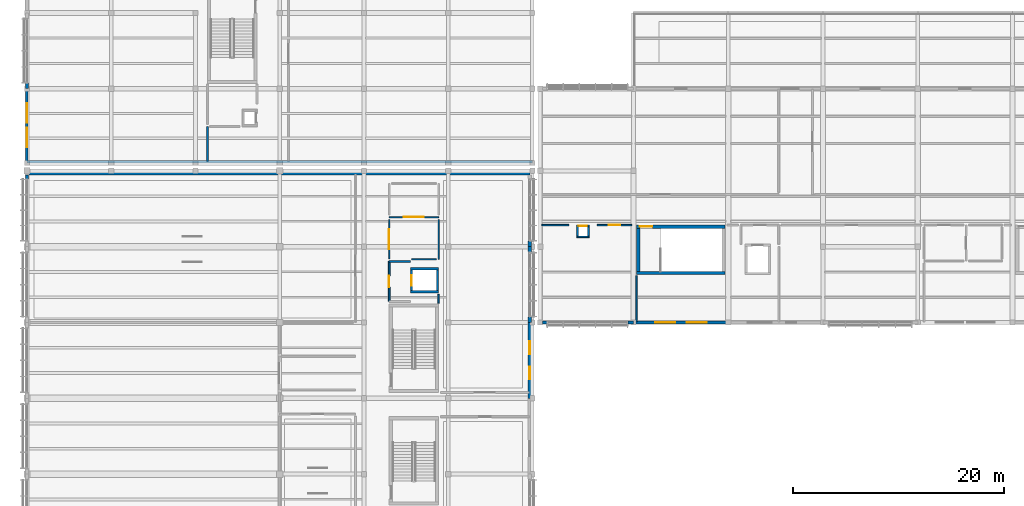
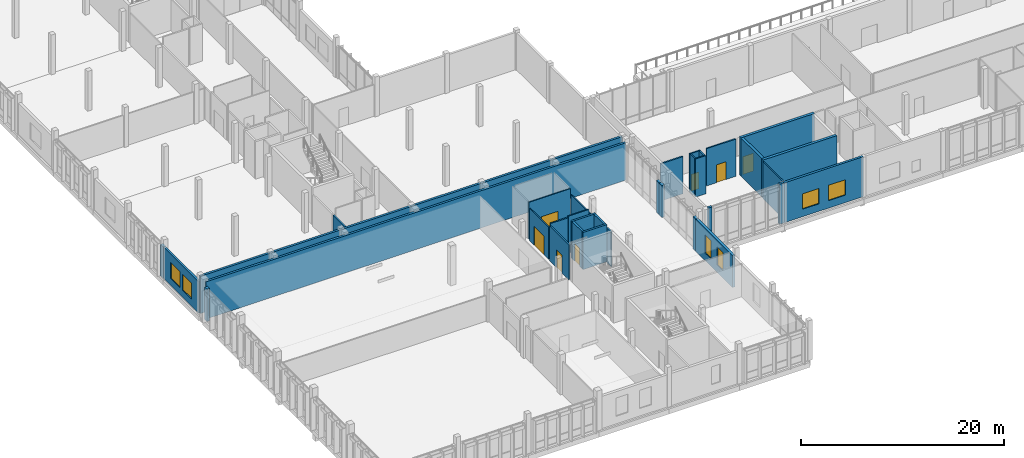
# One storey, part 147 of 177: 34 walls, 7 doors, 6 windows, 13 openings.
"""IFC4 building model written with IfcOpenShell, lengths in metres."""

from ifc_helpers import new_model, si_unit, direction, frame, frame_2d, origin, place, context, subcontext, project, spatial, rectangle, extrude, material, layer, layer_set, type_object, element, fill, save


model = new_model("IFC4")

# Units and contexts
model_context = context("Model", 3, precision=1e-05, world=origin(), true_north=direction((0.0, 1.0)))
body_context = subcontext(model_context, "Body", "Model", "MODEL_VIEW")
ifc_project = project(units=[si_unit("LENGTHUNIT", "METRE"), si_unit("AREAUNIT", "SQUARE_METRE"), si_unit("VOLUMEUNIT", "CUBIC_METRE"), si_unit("PLANEANGLEUNIT", "RADIAN"), si_unit("MASSUNIT", "GRAM", prefix="KILO")], contexts=[model_context])

# Site, building, storey
site_placement = place(None, origin())
site = spatial("IfcSite", under=ifc_project, at=site_placement, CompositionType="ELEMENT")
building_placement = place(site_placement, origin())
building = spatial("IfcBuilding", under=site, at=building_placement, Name="Chiffa Square Polytechnic", CompositionType="ELEMENT")
storey_placement = place(building_placement, frame((0.0, 0.0, 4.800048828125)))
storey = spatial("IfcBuildingStorey", under=building, at=storey_placement, Name="L01", CompositionType="ELEMENT", Elevation=4.800048828125)

# Wall
ifc_material_1 = material(Name="Concrete C40/50", Category="concrete")
ifc_layer_1 = layer(ifc_material_1, 0.300048828125, Name="Concrete C40/50")
ifc_layer_set_1 = layer_set([ifc_layer_1], Name="Concrete C40/50")
wall_type_1 = type_object("IfcWallType", Name="WL-CORE-300", PredefinedType="SHEAR", material=ifc_layer_set_1)
wall_1_placement = place(storey_placement, frame((57.89990234375, 26.300048828125, 0.0), z_axis=(0.0, 0.0, 1.0), x_axis=(1.0, 0.0, 0.0)))
element("IfcWall", 1, at=wall_1_placement, inside=storey, type_object=wall_type_1, Name="Core or enclosure wall WC-CORE-V4A-L01-SOUTH", PredefinedType="SHEAR", context=body_context, shape_type="SweptSolid", body=[
    extrude(rectangle(XDim=8.400146484375, YDim=0.300048828125, at=frame_2d((4.2001953125, 0.0))), origin(), (0.0, 0.0, 1.0), 4.599853515625),
])

# Wall, opening, door
wall_2_placement = place(storey_placement, frame((57.89990234375, 30.699951171875, 0.0), z_axis=(0.0, 0.0, 1.0), x_axis=(1.0, 0.0, 0.0)))
wall_2 = element("IfcWall", 2, at=wall_2_placement, inside=storey, type_object=wall_type_1, Name="Core or enclosure wall WC-CORE-V4A-L01-NORTH", PredefinedType="SHEAR", context=body_context, shape_type="SweptSolid", body=[
    extrude(rectangle(XDim=8.400146484375, YDim=0.300048828125, at=frame_2d((4.2001953125, 0.0))), origin(), (0.0, 0.0, 1.0), 4.599853515625),
])
opening_1_placement = place(wall_2_placement, frame((0.300048828125, 0.0, 0.0)))
opening_1 = element("IfcOpeningElement", 3, at=opening_1_placement, cuts=wall_2, Name="Opening DS-L01-028", PredefinedType="OPENING", context=body_context, shape_type="SweptSolid", body=[
    extrude(rectangle(XDim=1.199951171875, YDim=2.14990234375, at=frame_2d((0.60009765625, 1.074951171875))), frame((0.0, 0.16015625, 0.0), z_axis=(0.0, -1.0, 0.0), x_axis=(1.0, 0.0, 0.0)), (0.0, 0.0, 1.0), 0.320068359375),
])
ifc_material_2 = material(Name="Fire-rated painted steel leaf", Category="steel")
door_type_1 = type_object("IfcDoorType", Name="DR-STAIR-1200", OperationType="NOTDEFINED", PredefinedType="DOOR", material=ifc_material_2)
door_1_placement = place(opening_1_placement, origin())
door_1 = element("IfcDoor", 4, at=door_1_placement, inside=storey, type_object=door_type_1, Name="Enclosure door DS-L01-028", OperationType="SINGLE_SWING_RIGHT", OverallHeight=2.14990234375, OverallWidth=1.199951171875, PredefinedType="DOOR", context=body_context, shape_type="SweptSolid", body=[
    extrude(rectangle(XDim=1.199951171875, YDim=2.14990234375, at=frame_2d((0.60009765625, 1.074951171875))), frame((0.0, 0.02490234375, 0.0), z_axis=(0.0, -1.0, 0.0), x_axis=(1.0, 0.0, 0.0)), (0.0, 0.0, 1.0), 0.050048828125),
])
fill(opening_1, door_1)

# Wall
wall_3_placement = place(storey_placement, frame((58.050048828125, 26.449951171875, 0.0), z_axis=(0.0, 0.0, 1.0), x_axis=(0.0, 1.0, 0.0)))
element("IfcWall", 5, at=wall_3_placement, inside=storey, type_object=wall_type_1, Name="Core or enclosure wall WC-CORE-V4A-L01-WEST", PredefinedType="SHEAR", context=body_context, shape_type="SweptSolid", body=[
    extrude(rectangle(XDim=4.10009765625, YDim=0.300048828125, at=frame_2d((2.050048828125, 0.0))), origin(), (0.0, 0.0, 1.0), 4.599853515625),
])

# Wall, openings, windows
ifc_material_3 = material(Name="Precast concrete C40/50", Category="concrete")
ifc_layer_2 = layer(ifc_material_3, 0.239990234375, Name="Precast concrete C40/50")
ifc_layer_set_2 = layer_set([ifc_layer_2], Name="Precast concrete C40/50")
wall_type_2 = type_object("IfcWallType", Name="WL-EXT-PC240", PredefinedType="SOLIDWALL", material=ifc_layer_set_2)
wall_4_placement = place(storey_placement, frame((0.0, 43.800048828125, 0.0), z_axis=(0.0, 0.0, 1.0), x_axis=(0.0, -1.0, 0.0)))
wall_4 = element("IfcWall", 6, at=wall_4_placement, inside=storey, type_object=wall_type_2, Name="Exterior wall WE-V6-L01-0427", PredefinedType="SOLIDWALL", context=body_context, shape_type="SweptSolid", body=[
    extrude(rectangle(XDim=6.949951171875, YDim=0.239990234375, at=frame_2d((3.47509765625, 0.0))), origin(), (0.0, 0.0, 1.0), 3.764892578125),
])
opening_2_placement = place(wall_4_placement, frame((1.39208984375, 0.0, 0.85009765625)))
opening_2 = element("IfcOpeningElement", 7, at=opening_2_placement, cuts=wall_4, Name="Opening W-13", PredefinedType="OPENING", context=body_context, shape_type="SweptSolid", body=[
    extrude(rectangle(XDim=1.85009765625, YDim=1.89990234375, at=frame_2d((0.925048828125, 0.949951171875))), frame((0.0, 0.1298828125, 0.0), z_axis=(0.0, -1.0, 0.0), x_axis=(1.0, 0.0, 0.0)), (0.0, 0.0, 1.0), 0.260009765625),
])
opening_3_placement = place(wall_4_placement, frame((3.7080078125, 0.0, 0.85009765625)))
opening_3 = element("IfcOpeningElement", 8, at=opening_3_placement, cuts=wall_4, Name="Opening W-13", PredefinedType="OPENING", context=body_context, shape_type="SweptSolid", body=[
    extrude(rectangle(XDim=1.85009765625, YDim=1.89990234375, at=frame_2d((0.925048828125, 0.949951171875))), frame((0.0, 0.1298828125, 0.0), z_axis=(0.0, -1.0, 0.0), x_axis=(1.0, 0.0, 0.0)), (0.0, 0.0, 1.0), 0.260009765625),
])
ifc_material_4 = material(Name="Double glazing in thermally broken aluminium frame", Category="aluminium")
window_type_1 = type_object("IfcWindowType", Name="WIN-STD-1850X1900", PartitioningType="DOUBLE_PANEL_VERTICAL", PredefinedType="WINDOW", material=ifc_material_4)
window_1_placement = place(opening_2_placement, origin())
window_1 = element("IfcWindow", 9, at=window_1_placement, inside=storey, type_object=window_type_1, Name="Facade window WN-L01-0285", OverallHeight=1.89990234375, OverallWidth=1.85009765625, PartitioningType="DOUBLE_PANEL_VERTICAL", PredefinedType="WINDOW", context=body_context, shape_type="SweptSolid", body=[
    extrude(rectangle(XDim=1.85009765625, YDim=1.89990234375, at=frame_2d((0.925048828125, 0.949951171875))), frame((0.0, 0.030029296875, 0.0), z_axis=(0.0, -1.0, 0.0), x_axis=(1.0, 0.0, 0.0)), (0.0, 0.0, 1.0), 0.06005859375),
])
fill(opening_2, window_1)
window_2_placement = place(opening_3_placement, origin())
window_2 = element("IfcWindow", 10, at=window_2_placement, inside=storey, type_object=window_type_1, Name="Facade window WN-L01-0286", OverallHeight=1.89990234375, OverallWidth=1.85009765625, PartitioningType="DOUBLE_PANEL_VERTICAL", PredefinedType="WINDOW", context=body_context, shape_type="SweptSolid", body=[
    extrude(rectangle(XDim=1.85009765625, YDim=1.89990234375, at=frame_2d((0.925048828125, 0.949951171875))), frame((0.0, 0.030029296875, 0.0), z_axis=(0.0, -1.0, 0.0), x_axis=(1.0, 0.0, 0.0)), (0.0, 0.0, 1.0), 0.06005859375),
])
fill(opening_3, window_2)

# Walls
ifc_layer_3 = layer(ifc_material_3, 0.260009765625, Name="Precast concrete C40/50")
ifc_layer_set_3 = layer_set([ifc_layer_3], Name="Precast concrete C40/50")
wall_type_3 = type_object("IfcWallType", Name="WL-EXT-PC260", PredefinedType="SOLIDWALL", material=ifc_layer_set_3)
wall_5_placement = place(storey_placement, frame((48.97705078125, 21.60009765625, 0.0), z_axis=(0.0, 0.0, 1.0), x_axis=(1.0, 0.0, 0.0)))
element("IfcWall", 11, at=wall_5_placement, inside=storey, type_object=wall_type_3, Name="Facade column pier V4-L01-0201L", PredefinedType="SOLIDWALL", context=body_context, shape_type="SweptSolid", body=[
    extrude(rectangle(XDim=0.412841796875, YDim=0.260009765625, at=frame_2d((0.20654296875, 0.0))), origin(), (0.0, 0.0, 1.0), 4.800048828125),
])
wall_6_placement = place(storey_placement, frame((57.06005859375, 21.60009765625, 0.0), z_axis=(0.0, 0.0, 1.0), x_axis=(1.0, 0.0, 0.0)))
element("IfcWall", 12, at=wall_6_placement, inside=storey, type_object=wall_type_3, Name="Facade column pier V4-L01-0201R", PredefinedType="SOLIDWALL", context=body_context, shape_type="SweptSolid", body=[
    extrude(rectangle(XDim=0.5400390625, YDim=0.260009765625, at=frame_2d((0.27001953125, 0.0))), origin(), (0.0, 0.0, 1.0), 4.800048828125),
])

# Wall, openings, windows
wall_7_placement = place(storey_placement, frame((57.60009765625, 21.60009765625, 0.0), z_axis=(0.0, 0.0, 1.0), x_axis=(1.0, 0.0, 0.0)))
wall_7 = element("IfcWall", 13, at=wall_7_placement, inside=storey, type_object=wall_type_3, Name="Exterior wall WE-V4-L01-0202", PredefinedType="SOLIDWALL", context=body_context, shape_type="SweptSolid", body=[
    extrude(rectangle(XDim=9.0, YDim=0.260009765625, at=frame_2d((4.5, 0.0))), origin(), (0.0, 0.0, 1.0), 4.800048828125),
])
opening_4_placement = place(wall_7_placement, frame((2.050048828125, 0.0, 0.89990234375)))
opening_4 = element("IfcOpeningElement", 14, at=opening_4_placement, cuts=wall_7, Name="Opening W-28", PredefinedType="OPENING", context=body_context, shape_type="SweptSolid", body=[
    extrude(rectangle(XDim=1.89990234375, YDim=1.85009765625, at=frame_2d((0.949951171875, 0.925048828125))), frame((0.0, 0.14013671875, 0.0), z_axis=(0.0, -1.0, 0.0), x_axis=(1.0, 0.0, 0.0)), (0.0, 0.0, 1.0), 0.280029296875),
])
opening_5_placement = place(wall_7_placement, frame((5.050048828125, 0.0, 0.89990234375)))
opening_5 = element("IfcOpeningElement", 15, at=opening_5_placement, cuts=wall_7, Name="Opening W-28", PredefinedType="OPENING", context=body_context, shape_type="SweptSolid", body=[
    extrude(rectangle(XDim=1.89990234375, YDim=1.85009765625, at=frame_2d((0.949951171875, 0.925048828125))), frame((0.0, 0.14013671875, 0.0), z_axis=(0.0, -1.0, 0.0), x_axis=(1.0, 0.0, 0.0)), (0.0, 0.0, 1.0), 0.280029296875),
])
window_type_2 = type_object("IfcWindowType", Name="WIN-REF-1900X1850", PartitioningType="DOUBLE_PANEL_VERTICAL", PredefinedType="WINDOW", material=ifc_material_4)
window_3_placement = place(opening_4_placement, origin())
window_3 = element("IfcWindow", 16, at=window_3_placement, inside=storey, type_object=window_type_2, Name="Facade window WN-L01-0140", OverallHeight=1.85009765625, OverallWidth=1.89990234375, PartitioningType="DOUBLE_PANEL_VERTICAL", PredefinedType="WINDOW", context=body_context, shape_type="SweptSolid", body=[
    extrude(rectangle(XDim=1.89990234375, YDim=1.85009765625, at=frame_2d((0.949951171875, 0.925048828125))), frame((0.0, 0.030029296875, 0.0), z_axis=(0.0, -1.0, 0.0), x_axis=(1.0, 0.0, 0.0)), (0.0, 0.0, 1.0), 0.06005859375),
])
fill(opening_4, window_3)
window_4_placement = place(opening_5_placement, origin())
window_4 = element("IfcWindow", 17, at=window_4_placement, inside=storey, type_object=window_type_2, Name="Facade window WN-L01-0141", OverallHeight=1.85009765625, OverallWidth=1.89990234375, PartitioningType="DOUBLE_PANEL_VERTICAL", PredefinedType="WINDOW", context=body_context, shape_type="SweptSolid", body=[
    extrude(rectangle(XDim=1.89990234375, YDim=1.85009765625, at=frame_2d((0.949951171875, 0.925048828125))), frame((0.0, 0.030029296875, 0.0), z_axis=(0.0, -1.0, 0.0), x_axis=(1.0, 0.0, 0.0)), (0.0, 0.0, 1.0), 0.06005859375),
])
fill(opening_5, window_4)

# Wall
ifc_layer_4 = layer(ifc_material_3, 0.280029296875, Name="Precast concrete C40/50")
ifc_layer_set_4 = layer_set([ifc_layer_4], Name="Precast concrete C40/50")
wall_type_4 = type_object("IfcWallType", Name="WL-EXT-PC280", PredefinedType="SOLIDWALL", material=ifc_layer_set_4)
wall_8_placement = place(storey_placement, frame((0.0, 44.340087890625, 0.0), z_axis=(0.0, 0.0, 1.0), x_axis=(0.0, -1.0, 0.0)))
element("IfcWall", 18, at=wall_8_placement, inside=storey, type_object=wall_type_4, Name="Facade column pier V6-L01-0426R", PredefinedType="SOLIDWALL", context=body_context, shape_type="SweptSolid", body=[
    extrude(rectangle(XDim=0.5400390625, YDim=0.280029296875, at=frame_2d((0.27001953125, 0.0))), origin(), (0.0, 0.0, 1.0), 3.764892578125),
])

# Wall, openings, windows
ifc_layer_5 = layer(ifc_material_3, 0.300048828125, Name="Precast concrete C40/50")
ifc_layer_set_5 = layer_set([ifc_layer_5], Name="Precast concrete C40/50")
wall_type_5 = type_object("IfcWallType", Name="WL-EXT-PC300", PredefinedType="SOLIDWALL", material=ifc_layer_set_5)
wall_9_placement = place(storey_placement, frame((47.75, 14.39990234375, 0.0), z_axis=(0.0, 0.0, 1.0), x_axis=(0.0, 1.0, 0.0)))
wall_9 = element("IfcWall", 19, at=wall_9_placement, inside=storey, type_object=wall_type_5, Name="Exterior wall WE-V3-L01-0156", PredefinedType="SOLIDWALL", context=body_context, shape_type="SweptSolid", body=[
    extrude(rectangle(XDim=7.2001953125, YDim=0.300048828125, at=frame_2d((3.60009765625, 0.0))), origin(), (0.0, 0.0, 1.0), 3.864990234375),
])
opening_6_placement = place(wall_9_placement, frame((1.800048828125, 0.0, 0.89990234375)))
opening_6 = element("IfcOpeningElement", 20, at=opening_6_placement, cuts=wall_9, Name="Opening W-24", PredefinedType="OPENING", context=body_context, shape_type="SweptSolid", body=[
    extrude(rectangle(XDim=1.199951171875, YDim=2.199951171875, at=frame_2d((0.60009765625, 1.10009765625))), frame((0.0, 0.16015625, 0.0), z_axis=(0.0, -1.0, 0.0), x_axis=(1.0, 0.0, 0.0)), (0.0, 0.0, 1.0), 0.320068359375),
])
opening_7_placement = place(wall_9_placement, frame((4.199951171875, 0.0, 0.89990234375)))
opening_7 = element("IfcOpeningElement", 21, at=opening_7_placement, cuts=wall_9, Name="Opening W-24", PredefinedType="OPENING", context=body_context, shape_type="SweptSolid", body=[
    extrude(rectangle(XDim=1.199951171875, YDim=2.199951171875, at=frame_2d((0.60009765625, 1.10009765625))), frame((0.0, 0.16015625, 0.0), z_axis=(0.0, -1.0, 0.0), x_axis=(1.0, 0.0, 0.0)), (0.0, 0.0, 1.0), 0.320068359375),
])
window_type_3 = type_object("IfcWindowType", Name="WIN-LEC-1200X2200", PartitioningType="DOUBLE_PANEL_VERTICAL", PredefinedType="WINDOW", material=ifc_material_4)
window_5_placement = place(opening_6_placement, origin())
window_5 = element("IfcWindow", 22, at=window_5_placement, inside=storey, type_object=window_type_3, Name="Facade window WN-L01-0127", OverallHeight=2.199951171875, OverallWidth=1.199951171875, PartitioningType="DOUBLE_PANEL_VERTICAL", PredefinedType="WINDOW", context=body_context, shape_type="SweptSolid", body=[
    extrude(rectangle(XDim=1.199951171875, YDim=2.199951171875, at=frame_2d((0.60009765625, 1.10009765625))), frame((0.0, 0.030029296875, 0.0), z_axis=(0.0, -1.0, 0.0), x_axis=(1.0, 0.0, 0.0)), (0.0, 0.0, 1.0), 0.06005859375),
])
fill(opening_6, window_5)
window_6_placement = place(opening_7_placement, origin())
window_6 = element("IfcWindow", 23, at=window_6_placement, inside=storey, type_object=window_type_3, Name="Facade window WN-L01-0128", OverallHeight=2.199951171875, OverallWidth=1.199951171875, PartitioningType="DOUBLE_PANEL_VERTICAL", PredefinedType="WINDOW", context=body_context, shape_type="SweptSolid", body=[
    extrude(rectangle(XDim=1.199951171875, YDim=2.199951171875, at=frame_2d((0.60009765625, 1.10009765625))), frame((0.0, 0.030029296875, 0.0), z_axis=(0.0, -1.0, 0.0), x_axis=(1.0, 0.0, 0.0)), (0.0, 0.0, 1.0), 0.06005859375),
])
fill(opening_7, window_6)

# Walls
wall_10_placement = place(storey_placement, frame((47.75, 21.60009765625, 0.0), z_axis=(0.0, 0.0, 1.0), x_axis=(0.0, 1.0, 0.0)))
element("IfcWall", 24, at=wall_10_placement, inside=storey, type_object=wall_type_5, Name="Facade column pier V3-L01-0157L", PredefinedType="SOLIDWALL", context=body_context, shape_type="SweptSolid", body=[
    extrude(rectangle(XDim=0.539794921875, YDim=0.300048828125, at=frame_2d((0.27001953125, 0.0))), origin(), (0.0, 0.0, 1.0), 3.864990234375),
])
for number, where, z_axis, x_axis, name in (
    (25, (47.75, 28.260009765625, 0.0), (0.0, 0.0, 1.0), (0.0, 1.0, 0.0), "Facade column pier V3-L01-0157R"),
    (26, (47.75, 28.800048828125, 0.0), (0.0, 0.0, 1.0), (0.0, 1.0, 0.0), "Facade column pier V3-L01-0158L"),
):
    element("IfcWall", number, at=place(storey_placement, frame(where, z_axis=z_axis, x_axis=x_axis)), inside=storey, type_object=wall_type_5, Name=name, PredefinedType="SOLIDWALL", context=body_context, shape_type="SweptSolid", body=[
        extrude(rectangle(XDim=0.5400390625, YDim=0.300048828125, at=frame_2d((0.27001953125, 0.0))), origin(), (0.0, 0.0, 1.0), 3.864990234375),
    ])
wall_11_placement = place(storey_placement, frame((0.0, 35.623046875, 0.0), z_axis=(0.0, 0.0, 1.0), x_axis=(0.0, -1.0, 0.0)))
element("IfcWall", 27, at=wall_11_placement, inside=storey, type_object=wall_type_5, Name="Facade column pier V3-L01-0160L", PredefinedType="SOLIDWALL", context=body_context, shape_type="SweptSolid", body=[
    extrude(rectangle(XDim=0.4130859375, YDim=0.300048828125, at=frame_2d((0.20654296875, 0.0))), origin(), (0.0, 0.0, 1.0), 3.9150390625),
])
ifc_material_5 = material(Name="Gypsum board on steel stud", Category="steel")
ifc_layer_6 = layer(ifc_material_5, 0.135009765625, Name="Gypsum board on steel stud")
ifc_layer_set_6 = layer_set([ifc_layer_6], Name="Gypsum board on steel stud")
wall_type_6 = type_object("IfcWallType", Name="WL-PART-135", PredefinedType="PARTITIONING", material=ifc_layer_set_6)
wall_12_placement = place(storey_placement, frame((57.89990234375, 21.655029296875, 0.0), z_axis=(0.0, 0.0, 1.0), x_axis=(0.0, 1.0, 0.0)))
element("IfcWall", 28, at=wall_12_placement, inside=storey, type_object=wall_type_6, Name="Interior partition WP-V4-L01-0283", PredefinedType="PARTITIONING", context=body_context, shape_type="SweptSolid", body=[
    extrude(rectangle(XDim=4.405029296875, YDim=0.135009765625, at=frame_2d((2.20263671875, 0.0))), origin(), (0.0, 0.0, 1.0), 4.47998046875),
])
wall_13_placement = place(storey_placement, frame((39.10009765625, 23.43994140625, 0.0), z_axis=(0.0, 0.0, 1.0), x_axis=(0.0, 1.0, 0.0)))
element("IfcWall", 29, at=wall_13_placement, inside=storey, type_object=wall_type_6, Name="Interior partition WP-V3-L01-0310", PredefinedType="PARTITIONING", context=body_context, shape_type="SweptSolid", body=[
    extrude(rectangle(XDim=0.830078125, YDim=0.135009765625, at=frame_2d((0.4150390625, 0.0))), origin(), (0.0, 0.0, 1.0), 4.195068359375),
])
ifc_material_6 = material(Name="Gypsum board on acoustic steel stud", Category="steel")
ifc_layer_7 = layer(ifc_material_6, 0.159912109375, Name="Gypsum board on acoustic steel stud")
ifc_layer_set_7 = layer_set([ifc_layer_7], Name="Gypsum board on acoustic steel stud")
wall_type_7 = type_object("IfcWallType", Name="WL-PART-EI60-160", PredefinedType="PARTITIONING", material=ifc_layer_set_7)
wall_14_placement = place(storey_placement, frame((52.199951171875, 29.72998046875, 0.0), z_axis=(0.0, 0.0, 1.0), x_axis=(1.0, 0.0, 0.0)))
element("IfcWall", 30, at=wall_14_placement, inside=storey, type_object=wall_type_7, Name="Core or enclosure wall WP-RSR-V4-W-L01-SOUTH", PredefinedType="PARTITIONING", context=body_context, shape_type="SweptSolid", body=[
    extrude(rectangle(XDim=1.199951171875, YDim=0.159912109375, at=frame_2d((0.60009765625, 0.0))), origin(), (0.0, 0.0, 1.0), 4.579833984375),
])

# Wall, opening, door
wall_15_placement = place(storey_placement, frame((52.199951171875, 30.77001953125, 0.0), z_axis=(0.0, 0.0, 1.0), x_axis=(1.0, 0.0, 0.0)))
wall_15 = element("IfcWall", 31, at=wall_15_placement, inside=storey, type_object=wall_type_7, Name="Core or enclosure wall WP-RSR-V4-W-L01-NORTH", PredefinedType="PARTITIONING", context=body_context, shape_type="SweptSolid", body=[
    extrude(rectangle(XDim=1.199951171875, YDim=0.159912109375, at=frame_2d((0.60009765625, 0.0))), origin(), (0.0, 0.0, 1.0), 4.579833984375),
])
opening_8_placement = place(wall_15_placement, frame((0.175048828125, 0.0, 0.0)))
opening_8 = element("IfcOpeningElement", 32, at=opening_8_placement, cuts=wall_15, Name="Opening DI-L01-R27", PredefinedType="OPENING", context=body_context, shape_type="SweptSolid", body=[
    extrude(rectangle(XDim=0.85009765625, YDim=2.02001953125, at=frame_2d((0.425048828125, 1.010009765625))), frame((0.0, 0.08984375, 0.0), z_axis=(0.0, -1.0, 0.0), x_axis=(1.0, 0.0, 0.0)), (0.0, 0.0, 1.0), 0.179931640625),
])
ifc_material_7 = material(Name="Fire-rated steel riser access door", Category="steel")
door_type_2 = type_object("IfcDoorType", Name="DR-RISER-850", OperationType="NOTDEFINED", PredefinedType="DOOR", material=ifc_material_7)
door_2_placement = place(opening_8_placement, origin())
door_2 = element("IfcDoor", 33, at=door_2_placement, inside=storey, type_object=door_type_2, Name="Enclosure door DI-L01-R27", OperationType="SINGLE_SWING_LEFT", OverallHeight=2.02001953125, OverallWidth=0.85009765625, PredefinedType="DOOR", context=body_context, shape_type="SweptSolid", body=[
    extrude(rectangle(XDim=0.85009765625, YDim=2.02001953125, at=frame_2d((0.425048828125, 1.010009765625))), frame((0.0, 0.02490234375, 0.0), z_axis=(0.0, -1.0, 0.0), x_axis=(1.0, 0.0, 0.0)), (0.0, 0.0, 1.0), 0.050048828125),
])
fill(opening_8, door_2)

# Walls
for number, where, z_axis, x_axis, name in (
    (34, (52.280029296875, 29.81005859375, 0.0), (0.0, 0.0, 1.0), (0.0, 1.0, 0.0), "Core or enclosure wall WP-RSR-V4-W-L01-WEST"),
    (35, (53.320068359375, 29.81005859375, 0.0), (0.0, 0.0, 1.0), (0.0, 1.0, 0.0), "Core or enclosure wall WP-RSR-V4-W-L01-EAST"),
):
    element("IfcWall", number, at=place(storey_placement, frame(where, z_axis=z_axis, x_axis=x_axis)), inside=storey, type_object=wall_type_7, Name=name, PredefinedType="PARTITIONING", context=body_context, shape_type="SweptSolid", body=[
        extrude(rectangle(XDim=0.8798828125, YDim=0.159912109375, at=frame_2d((0.43994140625, 0.0))), origin(), (0.0, 0.0, 1.0), 4.579833984375),
    ])
wall_16_placement = place(storey_placement, frame((34.39990234375, 27.39990234375, 0.0), z_axis=(0.0, 0.0, 1.0), x_axis=(1.0, 0.0, 0.0)))
element("IfcWall", 36, at=wall_16_placement, inside=storey, type_object=wall_type_7, Name="Lift lobby rated enclosure WP-LOB-LP-V3-L01-NORTH", PredefinedType="PARTITIONING", context=body_context, shape_type="SweptSolid", body=[
    extrude(rectangle(XDim=2.0, YDim=0.159912109375, at=frame_2d((1.0, 0.0))), origin(), (0.0, 0.0, 1.0), 4.47998046875),
])

# Wall, opening, door
wall_17_placement = place(storey_placement, frame((34.39990234375, 23.60009765625, 0.0), z_axis=(0.0, 0.0, 1.0), x_axis=(0.0, 1.0, 0.0)))
wall_17 = element("IfcWall", 37, at=wall_17_placement, inside=storey, type_object=wall_type_7, Name="Lift lobby rated enclosure WP-LOB-LP-V3-L01-WEST", PredefinedType="PARTITIONING", context=body_context, shape_type="SweptSolid", body=[
    extrude(rectangle(XDim=3.7998046875, YDim=0.159912109375, at=frame_2d((1.89990234375, 0.0))), origin(), (0.0, 0.0, 1.0), 4.195068359375),
])
opening_9_placement = place(wall_17_placement, frame((1.35009765625, 0.0, 0.0)))
opening_9 = element("IfcOpeningElement", 38, at=opening_9_placement, cuts=wall_17, Name="Opening DI-L01-028", PredefinedType="OPENING", context=body_context, shape_type="SweptSolid", body=[
    extrude(rectangle(XDim=1.10009765625, YDim=2.14990234375, at=frame_2d((0.550048828125, 1.074951171875))), frame((0.0, 0.08984375, 0.0), z_axis=(0.0, -1.0, 0.0), x_axis=(1.0, 0.0, 0.0)), (0.0, 0.0, 1.0), 0.179931640625),
])
ifc_material_8 = material(Name="Solid core ash veneer door")
door_type_3 = type_object("IfcDoorType", Name="DR-INT-1100", OperationType="NOTDEFINED", PredefinedType="DOOR", material=ifc_material_8)
door_3_placement = place(opening_9_placement, origin())
door_3 = element("IfcDoor", 39, at=door_3_placement, inside=storey, type_object=door_type_3, Name="Lift lobby fire door DI-L01-028", OperationType="SINGLE_SWING_LEFT", OverallHeight=2.14990234375, OverallWidth=1.10009765625, PredefinedType="DOOR", context=body_context, shape_type="SweptSolid", body=[
    extrude(rectangle(XDim=1.10009765625, YDim=2.14990234375, at=frame_2d((0.550048828125, 1.074951171875))), frame((0.0, 0.02490234375, 0.0), z_axis=(0.0, -1.0, 0.0), x_axis=(1.0, 0.0, 0.0)), (0.0, 0.0, 1.0), 0.050048828125),
])
fill(opening_9, door_3)

wall_18_placement = place(storey_placement, frame((54.14599609375, 30.85009765625, 0.0), z_axis=(0.0, 0.0, 1.0), x_axis=(1.0, 0.0, 0.0)))
wall_18 = element("IfcWall", 40, at=wall_18_placement, inside=storey, type_object=wall_type_7, Name="Interior partition WP-V4-L01-0281", PredefinedType="PARTITIONING", context=body_context, shape_type="SweptSolid", body=[
    extrude(rectangle(XDim=3.31298828125, YDim=0.159912109375, at=frame_2d((1.656494140625, 0.0))), origin(), (0.0, 0.0, 1.0), 4.47998046875),
])
opening_10_placement = place(wall_18_placement, frame((1.10693359375, 0.0, 0.0)))
opening_10 = element("IfcOpeningElement", 41, at=opening_10_placement, cuts=wall_18, Name="Opening DI-L01-131", PredefinedType="OPENING", context=body_context, shape_type="SweptSolid", body=[
    extrude(rectangle(XDim=1.10009765625, YDim=2.14990234375, at=frame_2d((0.550048828125, 1.074951171875))), frame((0.0, 0.08984375, 0.0), z_axis=(0.0, -1.0, 0.0), x_axis=(1.0, 0.0, 0.0)), (0.0, 0.0, 1.0), 0.179931640625),
])
door_4_placement = place(opening_10_placement, origin())
door_4 = element("IfcDoor", 42, at=door_4_placement, inside=storey, type_object=door_type_3, Name="Interior room door DI-L01-131", OperationType="SINGLE_SWING_RIGHT", OverallHeight=2.14990234375, OverallWidth=1.10009765625, PredefinedType="DOOR", context=body_context, shape_type="SweptSolid", body=[
    extrude(rectangle(XDim=1.10009765625, YDim=2.14990234375, at=frame_2d((0.550048828125, 1.074951171875))), frame((0.0, 0.02490234375, 0.0), z_axis=(0.0, -1.0, 0.0), x_axis=(1.0, 0.0, 0.0)), (0.0, 0.0, 1.0), 0.050048828125),
])
fill(opening_10, door_4)

# Walls
wall_19_placement = place(storey_placement, frame((48.905029296875, 30.85009765625, 0.0), z_axis=(0.0, 0.0, 1.0), x_axis=(1.0, 0.0, 0.0)))
element("IfcWall", 43, at=wall_19_placement, inside=storey, type_object=wall_type_7, Name="Interior partition WP-V4-L01-0282", PredefinedType="PARTITIONING", context=body_context, shape_type="SweptSolid", body=[
    extrude(rectangle(XDim=2.549072265625, YDim=0.159912109375, at=frame_2d((1.2744140625, 0.0))), origin(), (0.0, 0.0, 1.0), 4.47998046875),
])
wall_20_placement = place(storey_placement, frame((17.14990234375, 36.905029296875, 0.0), z_axis=(0.0, 0.0, 1.0), x_axis=(0.0, 1.0, 0.0)))
element("IfcWall", 44, at=wall_20_placement, inside=storey, type_object=wall_type_7, Name="Interior partition WP-V6-L01-0318", PredefinedType="PARTITIONING", context=body_context, shape_type="SweptSolid", body=[
    extrude(rectangle(XDim=3.294921875, YDim=0.159912109375, at=frame_2d((1.6474609375, 0.0))), origin(), (0.0, 0.0, 1.0), 3.764892578125),
])

# Wall, opening, door
ifc_material_9 = material(Name="Moisture-resistant board partition")
ifc_layer_8 = layer(ifc_material_9, 0.1201171875, Name="Moisture-resistant board partition")
ifc_layer_set_8 = layer_set([ifc_layer_8], Name="Moisture-resistant board partition")
wall_type_8 = type_object("IfcWallType", Name="WL-PART-WC-120", PredefinedType="PARTITIONING", material=ifc_layer_set_8)
wall_21_placement = place(storey_placement, frame((34.39990234375, 31.60009765625, 0.0), z_axis=(0.0, 0.0, 1.0), x_axis=(1.0, 0.0, 0.0)))
wall_21 = element("IfcWall", 45, at=wall_21_placement, inside=storey, type_object=wall_type_8, Name="Interior partition WP-V3-L01-0248", PredefinedType="PARTITIONING", context=body_context, shape_type="SweptSolid", body=[
    extrude(rectangle(XDim=4.7001953125, YDim=0.1201171875, at=frame_2d((2.35009765625, 0.0))), origin(), (0.0, 0.0, 1.0), 4.47998046875),
])
opening_11_placement = place(wall_21_placement, frame((1.39990234375, 0.0, 0.0)))
opening_11 = element("IfcOpeningElement", 46, at=opening_11_placement, cuts=wall_21, Name="Opening DI-L01-118", PredefinedType="OPENING", context=body_context, shape_type="SweptSolid", body=[
    extrude(rectangle(XDim=1.89990234375, YDim=2.25, at=frame_2d((0.949951171875, 1.125))), frame((0.0, 0.070068359375, 0.0), z_axis=(0.0, -1.0, 0.0), x_axis=(1.0, 0.0, 0.0)), (0.0, 0.0, 1.0), 0.14013671875),
])
ifc_material_10 = material(Name="Acoustic oak auditorium double door")
door_type_4 = type_object("IfcDoorType", Name="DR-LEC-DBL-1900", OperationType="DOUBLE_DOOR_SINGLE_SWING", PredefinedType="DOOR", material=ifc_material_10)
door_5_placement = place(opening_11_placement, origin())
door_5 = element("IfcDoor", 47, at=door_5_placement, inside=storey, type_object=door_type_4, Name="Interior room door DI-L01-118", OperationType="DOUBLE_DOOR_SINGLE_SWING", OverallHeight=2.25, OverallWidth=1.89990234375, PredefinedType="DOOR", context=body_context, shape_type="SweptSolid", body=[
    extrude(rectangle(XDim=1.89990234375, YDim=2.25, at=frame_2d((0.949951171875, 1.125))), frame((0.0, 0.02490234375, 0.0), z_axis=(0.0, -1.0, 0.0), x_axis=(1.0, 0.0, 0.0)), (0.0, 0.0, 1.0), 0.050048828125),
])
fill(opening_11, door_5)

# Walls
wall_22_placement = place(storey_placement, frame((39.10009765625, 27.60009765625, 0.0), z_axis=(0.0, 0.0, 1.0), x_axis=(0.0, 1.0, 0.0)))
element("IfcWall", 48, at=wall_22_placement, inside=storey, type_object=wall_type_8, Name="Interior partition WP-V3-L01-0259", PredefinedType="PARTITIONING", context=body_context, shape_type="SweptSolid", body=[
    extrude(rectangle(XDim=3.77978515625, YDim=0.1201171875, at=frame_2d((1.889892578125, 0.0))), origin(), (0.0, 0.0, 1.0), 3.864990234375),
])
wall_23_placement = place(storey_placement, frame((36.532958984375, 27.60009765625, 0.0), z_axis=(0.0, 0.0, 1.0), x_axis=(1.0, 0.0, 0.0)))
element("IfcWall", 49, at=wall_23_placement, inside=storey, type_object=wall_type_8, Name="Interior partition WP-V3-L01-0260", PredefinedType="PARTITIONING", context=body_context, shape_type="SweptSolid", body=[
    extrude(rectangle(XDim=2.346923828125, YDim=0.1201171875, at=frame_2d((1.17333984375, 0.0))), origin(), (0.0, 0.0, 1.0), 4.47998046875),
])

# Wall, opening, door
wall_24_placement = place(storey_placement, frame((34.39990234375, 27.639892578125, 0.0), z_axis=(0.0, 0.0, 1.0), x_axis=(0.0, 1.0, 0.0)))
wall_24 = element("IfcWall", 50, at=wall_24_placement, inside=storey, type_object=wall_type_8, Name="Interior partition WP-V3-L01-0261", PredefinedType="PARTITIONING", context=body_context, shape_type="SweptSolid", body=[
    extrude(rectangle(XDim=3.739990234375, YDim=0.1201171875, at=frame_2d((1.8701171875, 0.0))), origin(), (0.0, 0.0, 1.0), 3.864990234375),
])
opening_12_placement = place(wall_24_placement, frame((0.919921875, 0.0, 0.0)))
opening_12 = element("IfcOpeningElement", 51, at=opening_12_placement, cuts=wall_24, Name="Opening DI-L01-122", PredefinedType="OPENING", context=body_context, shape_type="SweptSolid", body=[
    extrude(rectangle(XDim=1.89990234375, YDim=2.25, at=frame_2d((0.949951171875, 1.125))), frame((0.0, 0.070068359375, 0.0), z_axis=(0.0, -1.0, 0.0), x_axis=(1.0, 0.0, 0.0)), (0.0, 0.0, 1.0), 0.14013671875),
])
door_6_placement = place(opening_12_placement, origin())
door_6 = element("IfcDoor", 52, at=door_6_placement, inside=storey, type_object=door_type_4, Name="Interior room door DI-L01-122", OperationType="DOUBLE_DOOR_SINGLE_SWING", OverallHeight=2.25, OverallWidth=1.89990234375, PredefinedType="DOOR", context=body_context, shape_type="SweptSolid", body=[
    extrude(rectangle(XDim=1.89990234375, YDim=2.25, at=frame_2d((0.949951171875, 1.125))), frame((0.0, 0.02490234375, 0.0), z_axis=(0.0, -1.0, 0.0), x_axis=(1.0, 0.0, 0.0)), (0.0, 0.0, 1.0), 0.050048828125),
])
fill(opening_12, door_6)

# Walls
ifc_material_11 = material(Name="Concrete C35/45", Category="concrete")
ifc_layer_9 = layer(ifc_material_11, 0.219970703125, Name="Concrete C35/45")
ifc_layer_set_9 = layer_set([ifc_layer_9], Name="Concrete C35/45")
wall_type_9 = type_object("IfcWallType", Name="WL-SHAFT-220", PredefinedType="SHEAR", material=ifc_layer_set_9)
for number, where, z_axis, x_axis, name in (
    (53, (36.39990234375, 24.510009765625, 0.0), (0.0, 0.0, 1.0), (1.0, 0.0, 0.0), "Core or enclosure wall WS-LP-V3-L01-SOUTH"),
    (54, (36.39990234375, 26.68994140625, 0.0), (0.0, 0.0, 1.0), (1.0, 0.0, 0.0), "Core or enclosure wall WS-LP-V3-L01-NORTH"),
):
    element("IfcWall", number, at=place(storey_placement, frame(where, z_axis=z_axis, x_axis=x_axis)), inside=storey, type_object=wall_type_9, Name=name, PredefinedType="SHEAR", context=body_context, shape_type="SweptSolid", body=[
        extrude(rectangle(XDim=2.7001953125, YDim=0.219970703125, at=frame_2d((1.35009765625, 0.0))), origin(), (0.0, 0.0, 1.0), 4.47998046875),
    ])

# Wall, opening, door
wall_25_placement = place(storey_placement, frame((36.510009765625, 24.6201171875, 0.0), z_axis=(0.0, 0.0, 1.0), x_axis=(0.0, 1.0, 0.0)))
wall_25 = element("IfcWall", 55, at=wall_25_placement, inside=storey, type_object=wall_type_9, Name="Core or enclosure wall WS-LP-V3-L01-WEST", PredefinedType="SHEAR", context=body_context, shape_type="SweptSolid", body=[
    extrude(rectangle(XDim=1.9599609375, YDim=0.219970703125, at=frame_2d((0.97998046875, 0.0))), origin(), (0.0, 0.0, 1.0), 4.47998046875),
])
opening_13_placement = place(wall_25_placement, frame((0.47998046875, 0.0, 0.0)))
opening_13 = element("IfcOpeningElement", 56, at=opening_13_placement, cuts=wall_25, Name="Opening LD-LP-V3-L01", PredefinedType="OPENING", context=body_context, shape_type="SweptSolid", body=[
    extrude(rectangle(XDim=1.0, YDim=2.14990234375, at=frame_2d((0.5, 1.074951171875))), frame((0.0, 0.1201171875, 0.0), z_axis=(0.0, -1.0, 0.0), x_axis=(1.0, 0.0, 0.0)), (0.0, 0.0, 1.0), 0.239990234375),
])
ifc_material_12 = material(Name="Brushed stainless steel sliding landing door", Category="steel")
door_type_5 = type_object("IfcDoorType", Name="DR-LIFT-1000", OperationType="SLIDING_TO_RIGHT", PredefinedType="DOOR", material=ifc_material_12)
door_7_placement = place(opening_13_placement, origin())
door_7 = element("IfcDoor", 57, at=door_7_placement, inside=storey, type_object=door_type_5, Name="Enclosure door LD-LP-V3-L01", OperationType="SLIDING_TO_LEFT", OverallHeight=2.14990234375, OverallWidth=1.0, PredefinedType="DOOR", context=body_context, shape_type="SweptSolid", body=[
    extrude(rectangle(XDim=1.0, YDim=2.14990234375, at=frame_2d((0.5, 1.074951171875))), frame((0.0, 0.02490234375, 0.0), z_axis=(0.0, -1.0, 0.0), x_axis=(1.0, 0.0, 0.0)), (0.0, 0.0, 1.0), 0.050048828125),
])
fill(opening_13, door_7)

# Walls
wall_26_placement = place(storey_placement, frame((38.989990234375, 24.6201171875, 0.0), z_axis=(0.0, 0.0, 1.0), x_axis=(0.0, 1.0, 0.0)))
element("IfcWall", 58, at=wall_26_placement, inside=storey, type_object=wall_type_9, Name="Core or enclosure wall WS-LP-V3-L01-EAST", PredefinedType="SHEAR", context=body_context, shape_type="SweptSolid", body=[
    extrude(rectangle(XDim=1.9599609375, YDim=0.219970703125, at=frame_2d((0.97998046875, 0.0))), origin(), (0.0, 0.0, 1.0), 4.47998046875),
])
ifc_layer_10 = layer(ifc_material_11, 0.25, Name="Concrete C35/45")
ifc_layer_set_10 = layer_set([ifc_layer_10], Name="Concrete C35/45")
wall_type_10 = type_object("IfcWallType", Name="WL-SJ-250", PredefinedType="SHEAR", material=ifc_layer_set_10)
wall_27_placement = place(storey_placement, frame((47.75, 35.75, 0.0), z_axis=(0.0, 0.0, 1.0), x_axis=(-1.0, 0.0, 0.0)))
element("IfcWall", 59, at=wall_27_placement, inside=storey, type_object=wall_type_10, Name="Seismic-joint fire wall WE-V3-L01-0159", PredefinedType="SHEAR", context=body_context, shape_type="SweptSolid", body=[
    extrude(rectangle(XDim=47.75, YDim=0.25, at=frame_2d((23.875, 0.0))), origin(), (0.0, 0.0, 1.0), 4.47998046875),
])
wall_28_placement = place(storey_placement, frame((0.0, 36.85009765625, 0.0), z_axis=(0.0, 0.0, 1.0), x_axis=(1.0, 0.0, 0.0)))
element("IfcWall", 60, at=wall_28_placement, inside=storey, type_object=wall_type_10, Name="Seismic-joint fire wall WE-V6-L01-0409", PredefinedType="SHEAR", context=body_context, shape_type="SweptSolid", body=[
    extrude(rectangle(XDim=48.0, YDim=0.25, at=frame_2d((24.0, 0.0))), origin(), (0.0, 0.0, 1.0), 4.47998046875),
])

save(model, "model.ifc")
